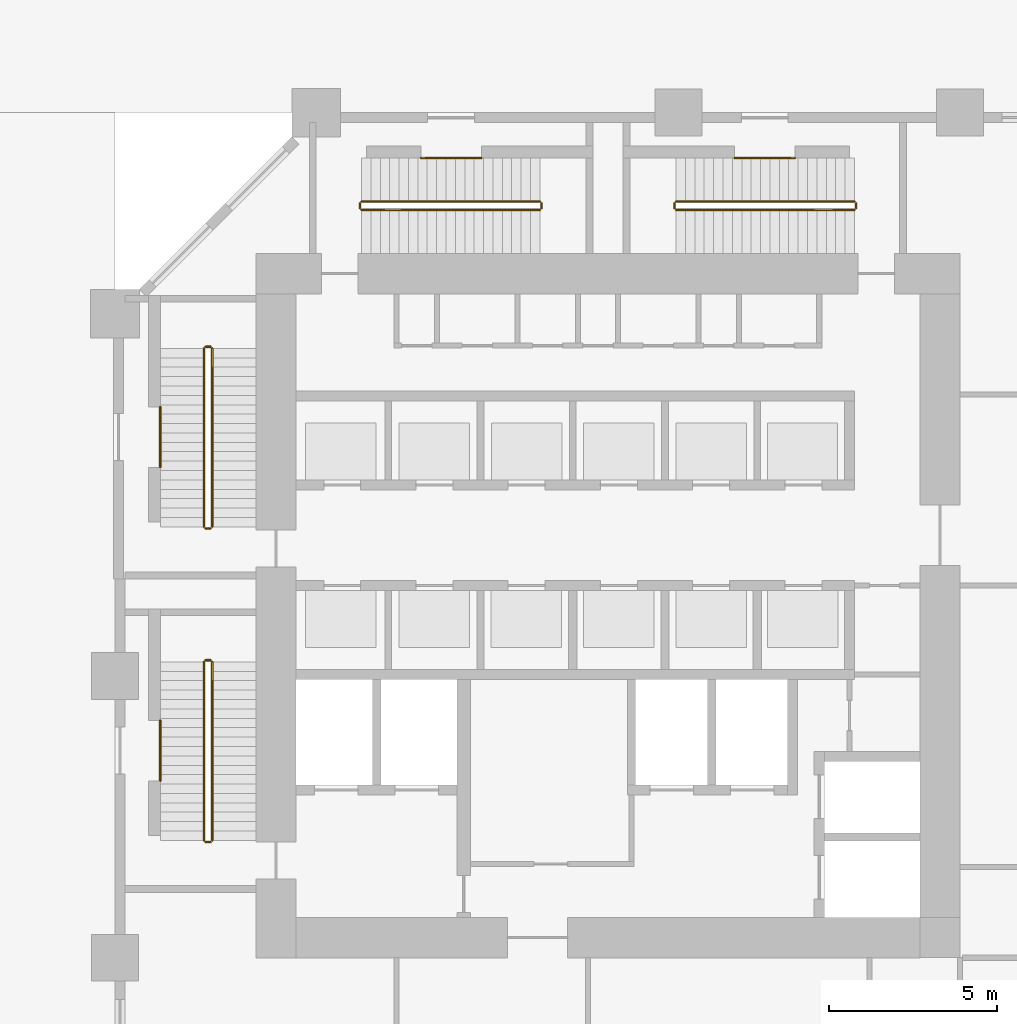
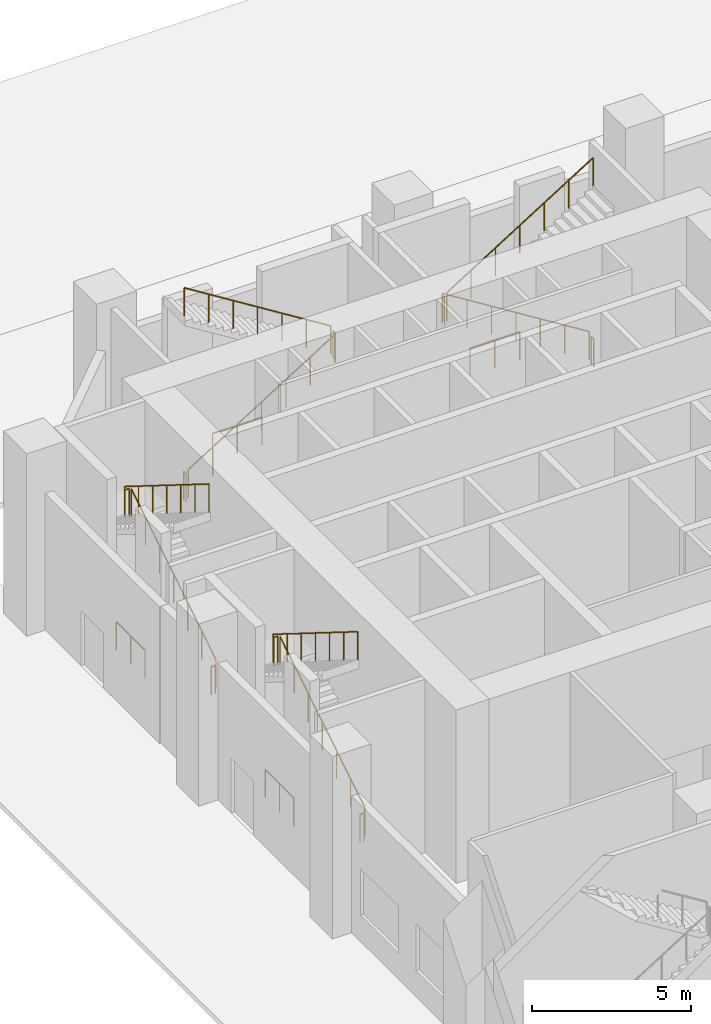
# One storey, part 28 of 32: 20 railings.
"""IFC4 building model written with IfcOpenShell, lengths in metres."""

from ifc_helpers import new_model, si_unit, direction, frame, origin, origin_2d, place, context, subcontext, project, spatial, circle, extrude, material, type_object, element, save


model = new_model("IFC4")

# Units and contexts
model_context = context("Model", 3, precision=1e-05, world=origin(), true_north=direction((0.0, 1.0)))
body_context = subcontext(model_context, "Body", "Model", "MODEL_VIEW")
ifc_project = project(units=[si_unit("LENGTHUNIT", "METRE"), si_unit("AREAUNIT", "SQUARE_METRE"), si_unit("VOLUMEUNIT", "CUBIC_METRE"), si_unit("PLANEANGLEUNIT", "RADIAN"), si_unit("MASSUNIT", "GRAM", prefix="KILO")], contexts=[model_context])

# Site, building, storey
site_placement = place(None, origin())
site = spatial("IfcSite", under=ifc_project, at=site_placement, CompositionType="ELEMENT")
building_placement = place(site_placement, origin())
building = spatial("IfcBuilding", under=site, at=building_placement, Name="Kawkab Arch Medical Tower", CompositionType="ELEMENT")
storey_placement = place(building_placement, origin())
storey = spatial("IfcBuildingStorey", under=building, at=storey_placement, Name="L01", CompositionType="ELEMENT", Elevation=0.0)

# Railings
ifc_material = material(Name="Stainless steel", Category="steel")
railing_type = type_object("IfcRailingType", Name="Stair guard 1100", PredefinedType="GUARDRAIL", material=ifc_material)
for number, where, name in (
    (1, (1.35009765625, -10.574951171875, 0.0), "L01 ST1 vestibule guard"),
    (2, (1.35009765625, -19.925048828125, 0.0), "L01 ST2 vestibule guard"),
):
    element("IfcRailing", number, at=place(storey_placement, frame(where)), inside=storey, type_object=railing_type, Name=name, PredefinedType="GUARDRAIL", context=body_context, shape_type="SweptSolid", body=[
        extrude(circle(Radius=0.02392578125, at=origin_2d()), frame((0.0, 0.0, 1.076171875), z_axis=(0.0, 1.0, 0.0), x_axis=(-1.0, 0.0, 0.0)), (0.0, 0.0, 1.0), 1.800048828125),
        extrude(circle(Radius=0.02099609375, at=origin_2d()), origin(), (0.0, 0.0, 1.0), 1.052001953125),
        extrude(circle(Radius=0.02099609375, at=origin_2d()), frame((0.0, 0.89990234375, 0.0)), (0.0, 0.0, 1.0), 1.052001953125),
        extrude(circle(Radius=0.02099609375, at=origin_2d()), frame((0.0, 1.800048828125, 0.0)), (0.0, 0.0, 1.0), 1.052001953125),
    ])
railing_1_placement = place(storey_placement, frame((9.125, -1.35009765625, 0.0)))
element("IfcRailing", 3, at=railing_1_placement, inside=storey, type_object=railing_type, Name="L01 ST3 vestibule guard", PredefinedType="GUARDRAIL", context=body_context, shape_type="SweptSolid", body=[
    extrude(circle(Radius=0.02392578125, at=origin_2d()), frame((0.0, 0.0, 1.076171875), z_axis=(1.0, 0.0, 0.0), x_axis=(0.0, 1.0, 0.0)), (0.0, 0.0, 1.0), 1.800048828125),
    extrude(circle(Radius=0.02099609375, at=origin_2d()), origin(), (0.0, 0.0, 1.0), 1.052001953125),
    extrude(circle(Radius=0.02099609375, at=origin_2d()), frame((0.89990234375, 0.0, 0.0)), (0.0, 0.0, 1.0), 1.052001953125),
    extrude(circle(Radius=0.02099609375, at=origin_2d()), frame((1.800048828125, 0.0, 0.0)), (0.0, 0.0, 1.0), 1.052001953125),
])
railing_2_placement = place(storey_placement, frame((18.47509765625, -1.35009765625, 0.0)))
element("IfcRailing", 4, at=railing_2_placement, inside=storey, type_object=railing_type, Name="L01 ST4 vestibule guard", PredefinedType="GUARDRAIL", context=body_context, shape_type="SweptSolid", body=[
    extrude(circle(Radius=0.02392578125, at=origin_2d()), frame((0.0, 0.0, 1.076171875), z_axis=(1.0, 0.0, 0.0), x_axis=(0.0, 1.0, 0.0)), (0.0, 0.0, 1.0), 1.7998046875),
    extrude(circle(Radius=0.02099609375, at=origin_2d()), origin(), (0.0, 0.0, 1.0), 1.052001953125),
    extrude(circle(Radius=0.02099609375, at=origin_2d()), frame((0.89990234375, 0.0, 0.0)), (0.0, 0.0, 1.0), 1.052001953125),
    extrude(circle(Radius=0.02099609375, at=origin_2d()), frame((1.7998046875, 0.0, 0.0)), (0.0, 0.0, 1.0), 1.052001953125),
])
railing_3_placement = place(storey_placement, frame((2.89990234375, -12.35009765625, 0.175048828125)))
element("IfcRailing", 5, at=railing_3_placement, inside=storey, type_object=railing_type, Name="L01 ST1 stair guard 1", PredefinedType="GUARDRAIL", context=body_context, shape_type="SweptSolid", body=[
    extrude(circle(Radius=0.02392578125, at=origin_2d()), frame((0.0, 0.0, 1.076171875), z_axis=(0.0, 0.848004862711, 0.52998844593), x_axis=(-1.0, 0.0, 0.0)), (0.0, 0.0, 1.0), 6.273681640625),
    extrude(circle(Radius=0.02099609375, at=origin_2d()), origin(), (0.0, 0.0, 1.0), 1.052001953125),
    extrude(circle(Radius=0.02099609375, at=origin_2d()), frame((0.0, 0.88671875, 0.55419921875)), (0.0, 0.0, 1.0), 1.052001953125),
    extrude(circle(Radius=0.02099609375, at=origin_2d()), frame((0.0, 1.7734375, 1.1083984375)), (0.0, 0.0, 1.0), 1.052001953125),
    extrude(circle(Radius=0.02099609375, at=origin_2d()), frame((0.0, 2.66015625, 1.66259765625)), (0.0, 0.0, 1.0), 1.052001953125),
    extrude(circle(Radius=0.02099609375, at=origin_2d()), frame((0.0, 3.546630859375, 2.216552734375)), (0.0, 0.0, 1.0), 1.052001953125),
    extrude(circle(Radius=0.02099609375, at=origin_2d()), frame((0.0, 4.433349609375, 2.770751953125)), (0.0, 0.0, 1.0), 1.052001953125),
    extrude(circle(Radius=0.02099609375, at=origin_2d()), frame((0.0, 5.320068359375, 3.324951171875)), (0.0, 0.0, 1.0), 1.052001953125),
])
railing_4_placement = place(storey_placement, frame((2.85009765625, -6.97998046875, 3.5)))
element("IfcRailing", 6, at=railing_4_placement, inside=storey, type_object=railing_type, Name="L01 ST1 stair guard 2", PredefinedType="GUARDRAIL", context=body_context, shape_type="SweptSolid", body=[
    extrude(circle(Radius=0.02392578125, at=origin_2d()), frame((0.0, 0.0, 1.076171875), z_axis=(-1.0, 0.0, 0.0), x_axis=(0.0, -1.0, 0.0)), (0.0, 0.0, 1.0), 0.150146484375),
    extrude(circle(Radius=0.02099609375, at=origin_2d()), origin(), (0.0, 0.0, 1.0), 1.052001953125),
    extrude(circle(Radius=0.02099609375, at=origin_2d()), frame((-0.150146484375, 0.0, 0.0)), (0.0, 0.0, 1.0), 1.052001953125),
])
railing_5_placement = place(storey_placement, frame((2.64990234375, -7.030029296875, 3.675048828125)))
element("IfcRailing", 7, at=railing_5_placement, inside=storey, type_object=railing_type, Name="L01 ST1 stair guard 3", PredefinedType="GUARDRAIL", context=body_context, shape_type="SweptSolid", body=[
    extrude(circle(Radius=0.02392578125, at=origin_2d()), frame((0.0, 0.0, 1.076171875), z_axis=(0.0, -0.848004862711, 0.52998844593), x_axis=(1.0, 0.0, 0.0)), (0.0, 0.0, 1.0), 6.273681640625),
    extrude(circle(Radius=0.02099609375, at=origin_2d()), origin(), (0.0, 0.0, 1.0), 1.052001953125),
    extrude(circle(Radius=0.02099609375, at=origin_2d()), frame((0.0, -0.88671875, 0.55419921875)), (0.0, 0.0, 1.0), 1.052001953125),
    extrude(circle(Radius=0.02099609375, at=origin_2d()), frame((0.0, -1.7734375, 1.1083984375)), (0.0, 0.0, 1.0), 1.052001953125),
    extrude(circle(Radius=0.02099609375, at=origin_2d()), frame((0.0, -2.66015625, 1.66259765625)), (0.0, 0.0, 1.0), 1.052001953125),
    extrude(circle(Radius=0.02099609375, at=origin_2d()), frame((0.0, -3.546630859375, 2.216552734375)), (0.0, 0.0, 1.0), 1.052001953125),
    extrude(circle(Radius=0.02099609375, at=origin_2d()), frame((0.0, -4.433349609375, 2.770751953125)), (0.0, 0.0, 1.0), 1.052001953125),
    extrude(circle(Radius=0.02099609375, at=origin_2d()), frame((0.0, -5.320068359375, 3.324951171875)), (0.0, 0.0, 1.0), 1.052001953125),
])
railing_6_placement = place(storey_placement, frame((2.85009765625, -12.39990234375, 0.0)))
element("IfcRailing", 8, at=railing_6_placement, inside=storey, type_object=railing_type, Name="L01 ST1 stair guard 4", PredefinedType="GUARDRAIL", context=body_context, shape_type="SweptSolid", body=[
    extrude(circle(Radius=0.02392578125, at=origin_2d()), frame((0.0, 0.0, 1.076171875), z_axis=(-1.0, 0.0, 0.0), x_axis=(0.0, -1.0, 0.0)), (0.0, 0.0, 1.0), 0.150146484375),
    extrude(circle(Radius=0.02099609375, at=origin_2d()), origin(), (0.0, 0.0, 1.0), 1.052001953125),
    extrude(circle(Radius=0.02099609375, at=origin_2d()), frame((-0.150146484375, 0.0, 0.0)), (0.0, 0.0, 1.0), 1.052001953125),
])
railing_7_placement = place(storey_placement, frame((2.89990234375, -21.699951171875, 0.175048828125)))
element("IfcRailing", 9, at=railing_7_placement, inside=storey, type_object=railing_type, Name="L01 ST2 stair guard 1", PredefinedType="GUARDRAIL", context=body_context, shape_type="SweptSolid", body=[
    extrude(circle(Radius=0.02392578125, at=origin_2d()), frame((0.0, 0.0, 1.076171875), z_axis=(0.0, 0.848004862711, 0.52998844593), x_axis=(-1.0, 0.0, 0.0)), (0.0, 0.0, 1.0), 6.273681640625),
    extrude(circle(Radius=0.02099609375, at=origin_2d()), origin(), (0.0, 0.0, 1.0), 1.052001953125),
    extrude(circle(Radius=0.02099609375, at=origin_2d()), frame((0.0, 0.88671875, 0.55419921875)), (0.0, 0.0, 1.0), 1.052001953125),
    extrude(circle(Radius=0.02099609375, at=origin_2d()), frame((0.0, 1.7734375, 1.1083984375)), (0.0, 0.0, 1.0), 1.052001953125),
    extrude(circle(Radius=0.02099609375, at=origin_2d()), frame((0.0, 2.66015625, 1.66259765625)), (0.0, 0.0, 1.0), 1.052001953125),
    extrude(circle(Radius=0.02099609375, at=origin_2d()), frame((0.0, 3.546630859375, 2.216552734375)), (0.0, 0.0, 1.0), 1.052001953125),
    extrude(circle(Radius=0.02099609375, at=origin_2d()), frame((0.0, 4.433349609375, 2.770751953125)), (0.0, 0.0, 1.0), 1.052001953125),
    extrude(circle(Radius=0.02099609375, at=origin_2d()), frame((0.0, 5.320068359375, 3.324951171875)), (0.0, 0.0, 1.0), 1.052001953125),
])
railing_8_placement = place(storey_placement, frame((2.85009765625, -16.330078125, 3.5)))
element("IfcRailing", 10, at=railing_8_placement, inside=storey, type_object=railing_type, Name="L01 ST2 stair guard 2", PredefinedType="GUARDRAIL", context=body_context, shape_type="SweptSolid", body=[
    extrude(circle(Radius=0.02392578125, at=origin_2d()), frame((0.0, 0.0, 1.076171875), z_axis=(-1.0, 0.0, 0.0), x_axis=(0.0, -1.0, 0.0)), (0.0, 0.0, 1.0), 0.150146484375),
    extrude(circle(Radius=0.02099609375, at=origin_2d()), origin(), (0.0, 0.0, 1.0), 1.052001953125),
    extrude(circle(Radius=0.02099609375, at=origin_2d()), frame((-0.150146484375, 0.0, 0.0)), (0.0, 0.0, 1.0), 1.052001953125),
])
railing_9_placement = place(storey_placement, frame((2.64990234375, -16.3798828125, 3.675048828125)))
element("IfcRailing", 11, at=railing_9_placement, inside=storey, type_object=railing_type, Name="L01 ST2 stair guard 3", PredefinedType="GUARDRAIL", context=body_context, shape_type="SweptSolid", body=[
    extrude(circle(Radius=0.02392578125, at=origin_2d()), frame((0.0, 0.0, 1.076171875), z_axis=(0.0, -0.848004862711, 0.52998844593), x_axis=(1.0, 0.0, 0.0)), (0.0, 0.0, 1.0), 6.273681640625),
    extrude(circle(Radius=0.02099609375, at=origin_2d()), origin(), (0.0, 0.0, 1.0), 1.052001953125),
    extrude(circle(Radius=0.02099609375, at=origin_2d()), frame((0.0, -0.88671875, 0.55419921875)), (0.0, 0.0, 1.0), 1.052001953125),
    extrude(circle(Radius=0.02099609375, at=origin_2d()), frame((0.0, -1.7734375, 1.1083984375)), (0.0, 0.0, 1.0), 1.052001953125),
    extrude(circle(Radius=0.02099609375, at=origin_2d()), frame((0.0, -2.66015625, 1.66259765625)), (0.0, 0.0, 1.0), 1.052001953125),
    extrude(circle(Radius=0.02099609375, at=origin_2d()), frame((0.0, -3.546630859375, 2.216552734375)), (0.0, 0.0, 1.0), 1.052001953125),
    extrude(circle(Radius=0.02099609375, at=origin_2d()), frame((0.0, -4.433349609375, 2.770751953125)), (0.0, 0.0, 1.0), 1.052001953125),
    extrude(circle(Radius=0.02099609375, at=origin_2d()), frame((0.0, -5.320068359375, 3.324951171875)), (0.0, 0.0, 1.0), 1.052001953125),
])
railing_10_placement = place(storey_placement, frame((2.85009765625, -21.75, 0.0)))
element("IfcRailing", 12, at=railing_10_placement, inside=storey, type_object=railing_type, Name="L01 ST2 stair guard 4", PredefinedType="GUARDRAIL", context=body_context, shape_type="SweptSolid", body=[
    extrude(circle(Radius=0.02392578125, at=origin_2d()), frame((0.0, 0.0, 1.076171875), z_axis=(-1.0, 0.0, 0.0), x_axis=(0.0, -1.0, 0.0)), (0.0, 0.0, 1.0), 0.150146484375),
    extrude(circle(Radius=0.02099609375, at=origin_2d()), origin(), (0.0, 0.0, 1.0), 1.052001953125),
    extrude(circle(Radius=0.02099609375, at=origin_2d()), frame((-0.150146484375, 0.0, 0.0)), (0.0, 0.0, 1.0), 1.052001953125),
])
railing_11_placement = place(storey_placement, frame((7.35009765625, -2.89990234375, 0.175048828125)))
element("IfcRailing", 13, at=railing_11_placement, inside=storey, type_object=railing_type, Name="L01 ST3 stair guard 1", PredefinedType="GUARDRAIL", context=body_context, shape_type="SweptSolid", body=[
    extrude(circle(Radius=0.02392578125, at=origin_2d()), frame((0.0, 0.0, 1.076171875), z_axis=(0.847993931318, 0.0, 0.530005936238), x_axis=(0.0, 1.0, 0.0)), (0.0, 0.0, 1.0), 6.2734375),
    extrude(circle(Radius=0.02099609375, at=origin_2d()), origin(), (0.0, 0.0, 1.0), 1.052001953125),
    extrude(circle(Radius=0.02099609375, at=origin_2d()), frame((0.88671875, 0.0, 0.55419921875)), (0.0, 0.0, 1.0), 1.052001953125),
    extrude(circle(Radius=0.02099609375, at=origin_2d()), frame((1.773193359375, 0.0, 1.1083984375)), (0.0, 0.0, 1.0), 1.052001953125),
    extrude(circle(Radius=0.02099609375, at=origin_2d()), frame((2.659912109375, 0.0, 1.66259765625)), (0.0, 0.0, 1.0), 1.052001953125),
    extrude(circle(Radius=0.02099609375, at=origin_2d()), frame((3.546630859375, 0.0, 2.216552734375)), (0.0, 0.0, 1.0), 1.052001953125),
    extrude(circle(Radius=0.02099609375, at=origin_2d()), frame((4.43310546875, 0.0, 2.770751953125)), (0.0, 0.0, 1.0), 1.052001953125),
    extrude(circle(Radius=0.02099609375, at=origin_2d()), frame((5.31982421875, 0.0, 3.324951171875)), (0.0, 0.0, 1.0), 1.052001953125),
])
railing_12_placement = place(storey_placement, frame((12.719970703125, -2.85009765625, 3.5)))
element("IfcRailing", 14, at=railing_12_placement, inside=storey, type_object=railing_type, Name="L01 ST3 stair guard 2", PredefinedType="GUARDRAIL", context=body_context, shape_type="SweptSolid", body=[
    extrude(circle(Radius=0.02392578125, at=origin_2d()), frame((0.0, 0.0, 1.076171875), z_axis=(0.0, 1.0, 0.0), x_axis=(-1.0, 0.0, 0.0)), (0.0, 0.0, 1.0), 0.150146484375),
    extrude(circle(Radius=0.02099609375, at=origin_2d()), origin(), (0.0, 0.0, 1.0), 1.052001953125),
    extrude(circle(Radius=0.02099609375, at=origin_2d()), frame((0.0, 0.150146484375, 0.0)), (0.0, 0.0, 1.0), 1.052001953125),
])
railing_13_placement = place(storey_placement, frame((12.669921875, -2.64990234375, 3.675048828125)))
element("IfcRailing", 15, at=railing_13_placement, inside=storey, type_object=railing_type, Name="L01 ST3 stair guard 3", PredefinedType="GUARDRAIL", context=body_context, shape_type="SweptSolid", body=[
    extrude(circle(Radius=0.02392578125, at=origin_2d()), frame((0.0, 0.0, 1.076171875), z_axis=(-0.847993931318, 0.0, 0.530005936238), x_axis=(0.0, -1.0, 0.0)), (0.0, 0.0, 1.0), 6.2734375),
    extrude(circle(Radius=0.02099609375, at=origin_2d()), origin(), (0.0, 0.0, 1.0), 1.052001953125),
    extrude(circle(Radius=0.02099609375, at=origin_2d()), frame((-0.88671875, 0.0, 0.55419921875)), (0.0, 0.0, 1.0), 1.052001953125),
    extrude(circle(Radius=0.02099609375, at=origin_2d()), frame((-1.773193359375, 0.0, 1.1083984375)), (0.0, 0.0, 1.0), 1.052001953125),
    extrude(circle(Radius=0.02099609375, at=origin_2d()), frame((-2.659912109375, 0.0, 1.66259765625)), (0.0, 0.0, 1.0), 1.052001953125),
    extrude(circle(Radius=0.02099609375, at=origin_2d()), frame((-3.546630859375, 0.0, 2.216552734375)), (0.0, 0.0, 1.0), 1.052001953125),
    extrude(circle(Radius=0.02099609375, at=origin_2d()), frame((-4.43310546875, 0.0, 2.770751953125)), (0.0, 0.0, 1.0), 1.052001953125),
    extrude(circle(Radius=0.02099609375, at=origin_2d()), frame((-5.31982421875, 0.0, 3.324951171875)), (0.0, 0.0, 1.0), 1.052001953125),
])
railing_14_placement = place(storey_placement, frame((7.300048828125, -2.85009765625, 0.0)))
element("IfcRailing", 16, at=railing_14_placement, inside=storey, type_object=railing_type, Name="L01 ST3 stair guard 4", PredefinedType="GUARDRAIL", context=body_context, shape_type="SweptSolid", body=[
    extrude(circle(Radius=0.02392578125, at=origin_2d()), frame((0.0, 0.0, 1.076171875), z_axis=(0.0, 1.0, 0.0), x_axis=(-1.0, 0.0, 0.0)), (0.0, 0.0, 1.0), 0.150146484375),
    extrude(circle(Radius=0.02099609375, at=origin_2d()), origin(), (0.0, 0.0, 1.0), 1.052001953125),
    extrude(circle(Radius=0.02099609375, at=origin_2d()), frame((0.0, 0.150146484375, 0.0)), (0.0, 0.0, 1.0), 1.052001953125),
])
railing_15_placement = place(storey_placement, frame((22.050048828125, -2.64990234375, 0.175048828125)))
element("IfcRailing", 17, at=railing_15_placement, inside=storey, type_object=railing_type, Name="L01 ST4 stair guard 1", PredefinedType="GUARDRAIL", context=body_context, shape_type="SweptSolid", body=[
    extrude(circle(Radius=0.02392578125, at=origin_2d()), frame((0.0, 0.0, 1.076171875), z_axis=(-0.848004862711, 0.0, 0.52998844593), x_axis=(0.0, -1.0, 0.0)), (0.0, 0.0, 1.0), 6.273681640625),
    extrude(circle(Radius=0.02099609375, at=origin_2d()), origin(), (0.0, 0.0, 1.0), 1.052001953125),
    extrude(circle(Radius=0.02099609375, at=origin_2d()), frame((-0.88671875, 0.0, 0.55419921875)), (0.0, 0.0, 1.0), 1.052001953125),
    extrude(circle(Radius=0.02099609375, at=origin_2d()), frame((-1.7734375, 0.0, 1.1083984375)), (0.0, 0.0, 1.0), 1.052001953125),
    extrude(circle(Radius=0.02099609375, at=origin_2d()), frame((-2.66015625, 0.0, 1.66259765625)), (0.0, 0.0, 1.0), 1.052001953125),
    extrude(circle(Radius=0.02099609375, at=origin_2d()), frame((-3.546630859375, 0.0, 2.216552734375)), (0.0, 0.0, 1.0), 1.052001953125),
    extrude(circle(Radius=0.02099609375, at=origin_2d()), frame((-4.433349609375, 0.0, 2.770751953125)), (0.0, 0.0, 1.0), 1.052001953125),
    extrude(circle(Radius=0.02099609375, at=origin_2d()), frame((-5.320068359375, 0.0, 3.324951171875)), (0.0, 0.0, 1.0), 1.052001953125),
])
railing_16_placement = place(storey_placement, frame((16.679931640625, -2.699951171875, 3.5)))
element("IfcRailing", 18, at=railing_16_placement, inside=storey, type_object=railing_type, Name="L01 ST4 stair guard 2", PredefinedType="GUARDRAIL", context=body_context, shape_type="SweptSolid", body=[
    extrude(circle(Radius=0.02392578125, at=origin_2d()), frame((0.0, 0.0, 1.076171875), z_axis=(0.0, -1.0, 0.0), x_axis=(1.0, 0.0, 0.0)), (0.0, 0.0, 1.0), 0.150146484375),
    extrude(circle(Radius=0.02099609375, at=origin_2d()), origin(), (0.0, 0.0, 1.0), 1.052001953125),
    extrude(circle(Radius=0.02099609375, at=origin_2d()), frame((0.0, -0.150146484375, 0.0)), (0.0, 0.0, 1.0), 1.052001953125),
])
railing_17_placement = place(storey_placement, frame((16.72998046875, -2.89990234375, 3.675048828125)))
element("IfcRailing", 19, at=railing_17_placement, inside=storey, type_object=railing_type, Name="L01 ST4 stair guard 3", PredefinedType="GUARDRAIL", context=body_context, shape_type="SweptSolid", body=[
    extrude(circle(Radius=0.02392578125, at=origin_2d()), frame((0.0, 0.0, 1.076171875), z_axis=(0.848004862711, 0.0, 0.52998844593), x_axis=(0.0, 1.0, 0.0)), (0.0, 0.0, 1.0), 6.273681640625),
    extrude(circle(Radius=0.02099609375, at=origin_2d()), origin(), (0.0, 0.0, 1.0), 1.052001953125),
    extrude(circle(Radius=0.02099609375, at=origin_2d()), frame((0.88671875, 0.0, 0.55419921875)), (0.0, 0.0, 1.0), 1.052001953125),
    extrude(circle(Radius=0.02099609375, at=origin_2d()), frame((1.7734375, 0.0, 1.1083984375)), (0.0, 0.0, 1.0), 1.052001953125),
    extrude(circle(Radius=0.02099609375, at=origin_2d()), frame((2.66015625, 0.0, 1.66259765625)), (0.0, 0.0, 1.0), 1.052001953125),
    extrude(circle(Radius=0.02099609375, at=origin_2d()), frame((3.546630859375, 0.0, 2.216552734375)), (0.0, 0.0, 1.0), 1.052001953125),
    extrude(circle(Radius=0.02099609375, at=origin_2d()), frame((4.433349609375, 0.0, 2.770751953125)), (0.0, 0.0, 1.0), 1.052001953125),
    extrude(circle(Radius=0.02099609375, at=origin_2d()), frame((5.320068359375, 0.0, 3.324951171875)), (0.0, 0.0, 1.0), 1.052001953125),
])
railing_18_placement = place(storey_placement, frame((22.10009765625, -2.699951171875, 0.0)))
element("IfcRailing", 20, at=railing_18_placement, inside=storey, type_object=railing_type, Name="L01 ST4 stair guard 4", PredefinedType="GUARDRAIL", context=body_context, shape_type="SweptSolid", body=[
    extrude(circle(Radius=0.02392578125, at=origin_2d()), frame((0.0, 0.0, 1.076171875), z_axis=(0.0, -1.0, 0.0), x_axis=(1.0, 0.0, 0.0)), (0.0, 0.0, 1.0), 0.150146484375),
    extrude(circle(Radius=0.02099609375, at=origin_2d()), origin(), (0.0, 0.0, 1.0), 1.052001953125),
    extrude(circle(Radius=0.02099609375, at=origin_2d()), frame((0.0, -0.150146484375, 0.0)), (0.0, 0.0, 1.0), 1.052001953125),
])

save(model, "model.ifc")
